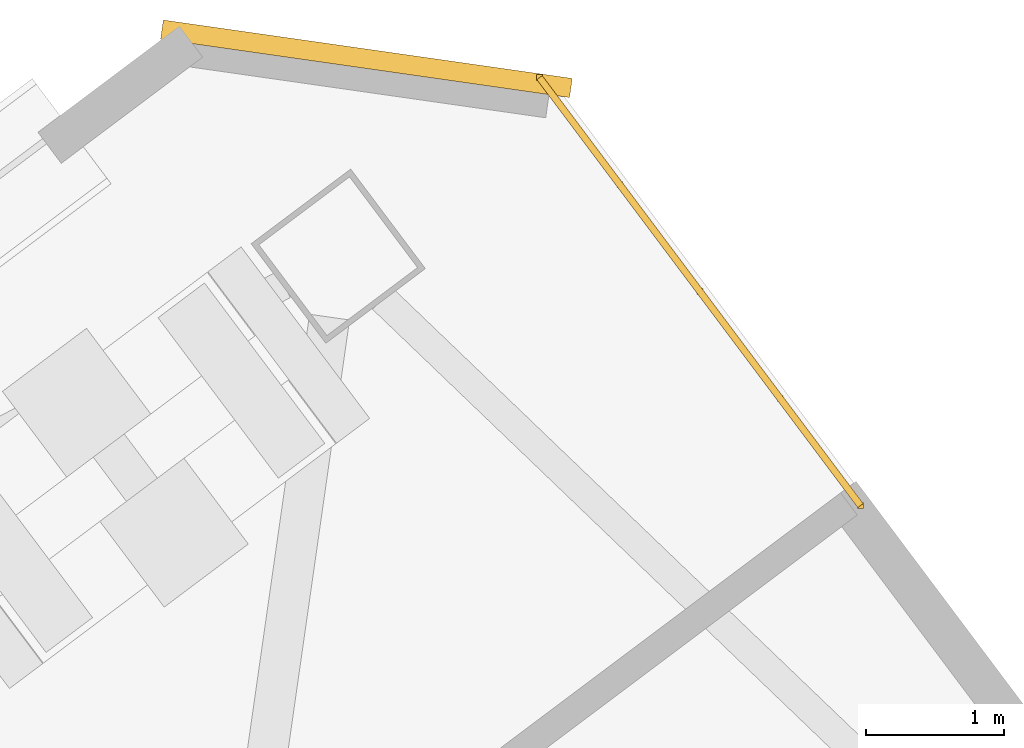
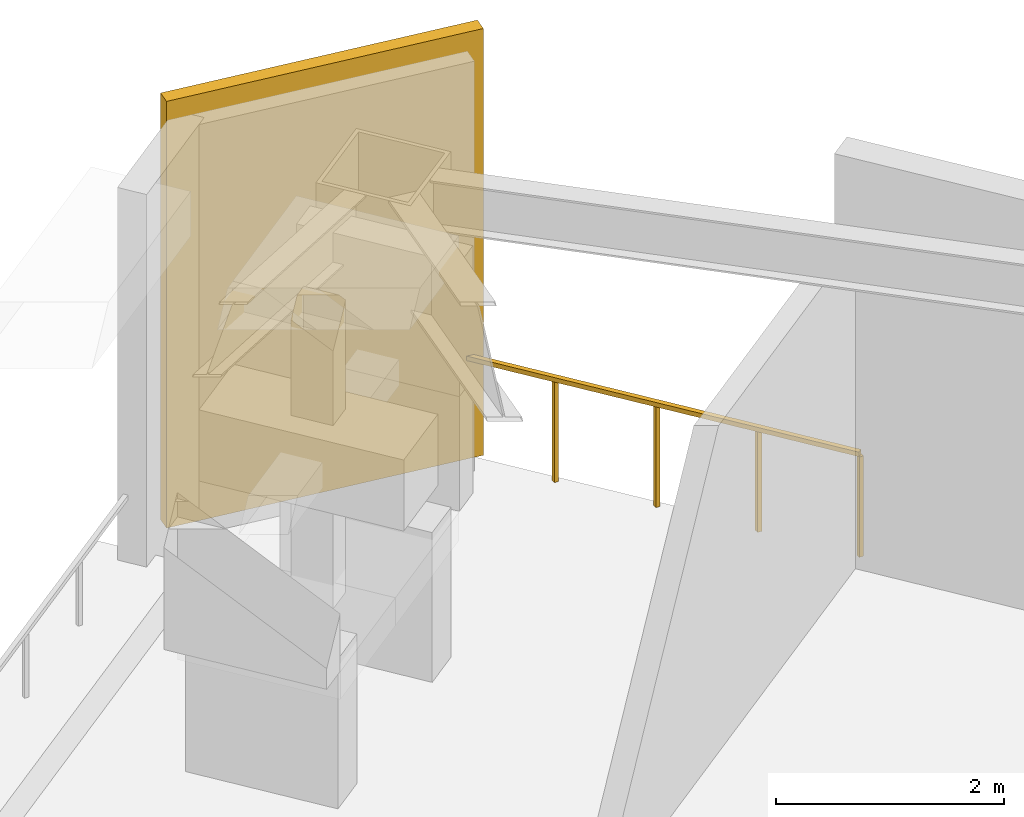
# One storey, part 14 of 15: 1 covering, 1 railing.
"""IFC4 building model written with IfcOpenShell, lengths in metres."""

from ifc_helpers import new_model, si_unit, direction, frame, origin, origin_2d, place, context, subcontext, project, spatial, rectangle, extrude, material, layer, layer_set, type_object, element, save


model = new_model("IFC4")

# Units and contexts
model_context = context("Model", 3, precision=1e-05, world=origin(), true_north=direction((0.0, 1.0)))
body_context = subcontext(model_context, "Body", "Model", "MODEL_VIEW")
ifc_project = project(units=[si_unit("LENGTHUNIT", "METRE"), si_unit("AREAUNIT", "SQUARE_METRE"), si_unit("VOLUMEUNIT", "CUBIC_METRE"), si_unit("PLANEANGLEUNIT", "RADIAN"), si_unit("MASSUNIT", "GRAM", prefix="KILO")], contexts=[model_context])

# Site, building, storey
site_placement = place(None, origin())
site = spatial("IfcSite", under=ifc_project, at=site_placement, CompositionType="ELEMENT")
building_placement = place(site_placement, origin())
building = spatial("IfcBuilding", under=site, at=building_placement, Name="Tashvorn Skyway Center", CompositionType="ELEMENT")
storey_placement = place(building_placement, frame((0.0, 0.0, 246.800048828125)))
storey = spatial("IfcBuildingStorey", under=building, at=storey_placement, Name="L67", CompositionType="ELEMENT", Elevation=246.800048828125)

# Covering
ifc_material_1 = material(Name="Precast concrete C40/50", Category="concrete")
ifc_layer = layer(ifc_material_1, 0.35009765625)
ifc_layer_set = layer_set([ifc_layer], Name="Precast concrete C40/50")
covering_type = type_object("IfcCoveringType", Name="COV-STONE-TRIM", PredefinedType="CLADDING", material=ifc_layer_set)
covering_placement = place(storey_placement, frame((116.803955078125, 51.6279296875, 0.02001953125), z_axis=(0.0, 0.0, 1.0), x_axis=(0.989949494535, -0.141421350118, 0.0)))
element("IfcCovering", 1, at=covering_placement, inside=storey, type_object=covering_type, Name="Tower 2 L67 NE Mojave Limestone Corner Quoin", PredefinedType="CLADDING", context=body_context, shape_type="SweptSolid", body=[
    extrude(rectangle(XDim=2.98828125, YDim=0.139892578125, at=origin_2d()), origin(), (0.0, 0.0, 1.0), 4.56005859375),
])

# Railing
ifc_material_2 = material(Name="Galvanized steel S355", Category="steel")
railing_type = type_object("IfcRailingType", Name="RAIL-GUARD-1120", PredefinedType="GUARDRAIL", material=ifc_material_2)
railing_placement = place(storey_placement, frame((118.055908203125, 51.491943359375, 0.0)))
element("IfcRailing", 2, at=railing_placement, inside=storey, type_object=railing_type, Name="L67 Tower 2 L67 Breezeway Guardrail A 01", PredefinedType="GUARDRAIL", context=body_context, shape_type="SweptSolid", body=[
    extrude(rectangle(XDim=0.048095703125, YDim=0.048095703125, at=origin_2d()), frame((0.0, 0.0, 1.09619140625), z_axis=(0.600010093698, -0.799992429627, 0.0), x_axis=(0.799992429627, 0.600010093698, 0.0)), (0.0, 0.0, 1.0), 3.869873046875),
    extrude(rectangle(XDim=0.0419921875, YDim=0.0419921875, at=origin_2d()), origin(), (0.0, 0.0, 1.0), 1.072021484375),
    extrude(rectangle(XDim=0.0419921875, YDim=0.0419921875, at=origin_2d()), frame((0.58056640625, -0.77392578125, 0.0)), (0.0, 0.0, 1.0), 1.072021484375),
    extrude(rectangle(XDim=0.0419921875, YDim=0.0419921875, at=origin_2d()), frame((1.1611328125, -1.5478515625, 0.0)), (0.0, 0.0, 1.0), 1.072021484375),
    extrude(rectangle(XDim=0.0419921875, YDim=0.0419921875, at=origin_2d()), frame((1.741455078125, -2.322021484375, 0.0)), (0.0, 0.0, 1.0), 1.072021484375),
    extrude(rectangle(XDim=0.0419921875, YDim=0.0419921875, at=origin_2d()), frame((2.322021484375, -3.095947265625, 0.0)), (0.0, 0.0, 1.0), 1.072021484375),
])

save(model, "model.ifc")
